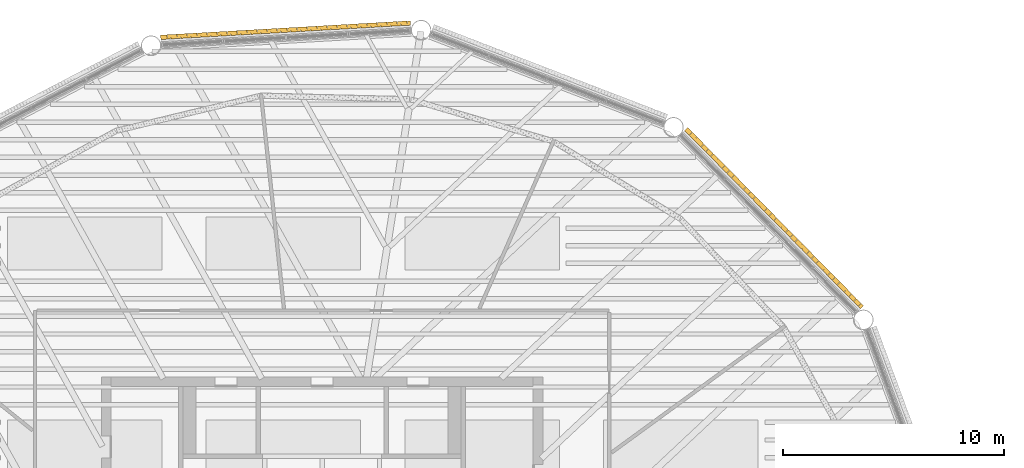
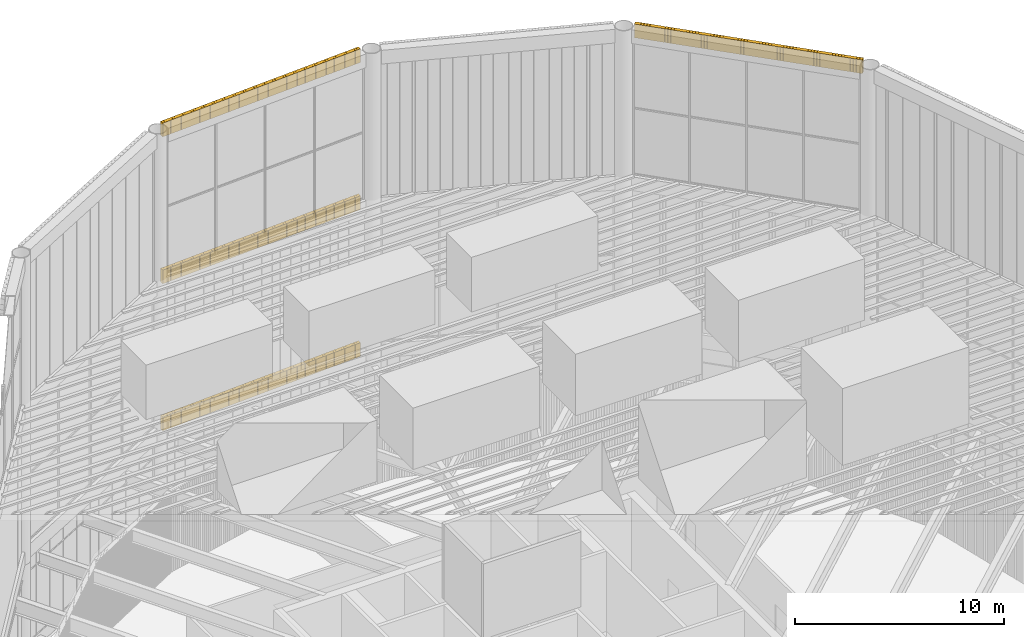
# One storey, part 116 of 117: 4 coverings.
"""IFC4 building model written with IfcOpenShell, lengths in metres."""

from ifc_helpers import new_model, si_unit, direction, frame, frame_2d, origin, place, context, subcontext, project, spatial, rectangle, composite_profile, extrude, material, type_object, element, save


model = new_model("IFC4")

# Units and contexts
model_context = context("Model", 3, precision=1e-05, world=origin(), true_north=direction((0.0, 1.0)))
body_context = subcontext(model_context, "Body", "Model", "MODEL_VIEW")
ifc_project = project(units=[si_unit("LENGTHUNIT", "METRE"), si_unit("AREAUNIT", "SQUARE_METRE"), si_unit("VOLUMEUNIT", "CUBIC_METRE"), si_unit("PLANEANGLEUNIT", "RADIAN"), si_unit("MASSUNIT", "GRAM", prefix="KILO")], contexts=[model_context])

# Site, building, storey
site_placement = place(None, origin())
site = spatial("IfcSite", under=ifc_project, at=site_placement, CompositionType="ELEMENT")
building_placement = place(site_placement, origin())
building = spatial("IfcBuilding", under=site, at=building_placement, Name="Tarsis Ring Headquarters", CompositionType="ELEMENT")
storey_placement = place(building_placement, frame((0.0, 0.0, 403.60009765625)))
storey = spatial("IfcBuildingStorey", under=building, at=storey_placement, Name="L95", CompositionType="ELEMENT", Elevation=403.60009765625)

# Coverings
ifc_material = material(Name="Terracotta louvre", Category="masonry")
covering_type = type_object("IfcCoveringType", Name="Crown louvre fin", PredefinedType="CLADDING", material=ifc_material)
covering_1_placement = place(storey_placement, frame((4.0078125, 29.0234375, 5.0), z_axis=(0.0, 0.0, 1.0), x_axis=(-0.998341518049, -0.05740070647, 0.0)))
element("IfcCovering", 1, at=covering_1_placement, inside=storey, type_object=covering_type, Name="Crown louvre fascia R10", PredefinedType="CLADDING", context=body_context, shape_type="SweptSolid", body=[
    extrude(composite_profile([rectangle(XDim=0.14501953125, YDim=0.199951171875, at=frame_2d((0.072509765625, 0.0))), rectangle(XDim=0.14501953125, YDim=0.199951171875, at=frame_2d((0.2236328125, 0.0))), rectangle(XDim=0.14501953125, YDim=0.199951171875, at=frame_2d((0.375, 0.0))), rectangle(XDim=0.14501953125, YDim=0.199951171875, at=frame_2d((0.526123046875, 0.0))), rectangle(XDim=0.14501953125, YDim=0.199951171875, at=frame_2d((0.677490234375, 0.0))), rectangle(XDim=0.14501953125, YDim=0.199951171875, at=frame_2d((0.82861328125, 0.0))), rectangle(XDim=0.14501953125, YDim=0.199951171875, at=frame_2d((0.979736328125, 0.0))), rectangle(XDim=0.14501953125, YDim=0.199951171875, at=frame_2d((1.131103515625, 0.0))), rectangle(XDim=0.14501953125, YDim=0.199951171875, at=frame_2d((1.2822265625, 0.0))), rectangle(XDim=0.14501953125, YDim=0.199951171875, at=frame_2d((1.433349609375, 0.0))), rectangle(XDim=0.14501953125, YDim=0.199951171875, at=frame_2d((1.584716796875, 0.0))), rectangle(XDim=0.14501953125, YDim=0.199951171875, at=frame_2d((1.73583984375, 0.0))), rectangle(XDim=0.14501953125, YDim=0.199951171875, at=frame_2d((1.88720703125, 0.0))), rectangle(XDim=0.14501953125, YDim=0.199951171875, at=frame_2d((2.038330078125, 0.0))), rectangle(XDim=0.14501953125, YDim=0.199951171875, at=frame_2d((2.189453125, 0.0))), rectangle(XDim=0.14501953125, YDim=0.199951171875, at=frame_2d((2.3408203125, 0.0))), rectangle(XDim=0.14501953125, YDim=0.199951171875, at=frame_2d((2.491943359375, 0.0))), rectangle(XDim=0.14501953125, YDim=0.199951171875, at=frame_2d((2.64306640625, 0.0))), rectangle(XDim=0.14501953125, YDim=0.199951171875, at=frame_2d((2.79443359375, 0.0))), rectangle(XDim=0.14501953125, YDim=0.199951171875, at=frame_2d((2.945556640625, 0.0))), rectangle(XDim=0.14501953125, YDim=0.199951171875, at=frame_2d((3.096923828125, 0.0))), rectangle(XDim=0.14501953125, YDim=0.199951171875, at=frame_2d((3.248046875, 0.0))), rectangle(XDim=0.14501953125, YDim=0.199951171875, at=frame_2d((3.399169921875, 0.0))), rectangle(XDim=0.14501953125, YDim=0.199951171875, at=frame_2d((3.550537109375, 0.0))), rectangle(XDim=0.14501953125, YDim=0.199951171875, at=frame_2d((3.70166015625, 0.0))), rectangle(XDim=0.14501953125, YDim=0.199951171875, at=frame_2d((3.852783203125, 0.0))), rectangle(XDim=0.14501953125, YDim=0.199951171875, at=frame_2d((4.004150390625, 0.0))), rectangle(XDim=0.14501953125, YDim=0.199951171875, at=frame_2d((4.1552734375, 0.0))), rectangle(XDim=0.14501953125, YDim=0.199951171875, at=frame_2d((4.306640625, 0.0))), rectangle(XDim=0.14501953125, YDim=0.199951171875, at=frame_2d((4.457763671875, 0.0))), rectangle(XDim=0.14501953125, YDim=0.199951171875, at=frame_2d((4.60888671875, 0.0))), rectangle(XDim=0.14501953125, YDim=0.199951171875, at=frame_2d((4.76025390625, 0.0))), rectangle(XDim=0.14501953125, YDim=0.199951171875, at=frame_2d((4.911376953125, 0.0))), rectangle(XDim=0.14501953125, YDim=0.199951171875, at=frame_2d((5.0625, 0.0))), rectangle(XDim=0.14501953125, YDim=0.199951171875, at=frame_2d((5.2138671875, 0.0))), rectangle(XDim=0.14501953125, YDim=0.199951171875, at=frame_2d((5.364990234375, 0.0))), rectangle(XDim=0.14501953125, YDim=0.199951171875, at=frame_2d((5.516357421875, 0.0))), rectangle(XDim=0.14501953125, YDim=0.199951171875, at=frame_2d((5.66748046875, 0.0))), rectangle(XDim=0.14501953125, YDim=0.199951171875, at=frame_2d((5.818603515625, 0.0))), rectangle(XDim=0.14501953125, YDim=0.199951171875, at=frame_2d((5.969970703125, 0.0))), rectangle(XDim=0.14501953125, YDim=0.199951171875, at=frame_2d((6.12109375, 0.0))), rectangle(XDim=0.14501953125, YDim=0.199951171875, at=frame_2d((6.2724609375, 0.0))), rectangle(XDim=0.14501953125, YDim=0.199951171875, at=frame_2d((6.423583984375, 0.0))), rectangle(XDim=0.14501953125, YDim=0.199951171875, at=frame_2d((6.57470703125, 0.0))), rectangle(XDim=0.14501953125, YDim=0.199951171875, at=frame_2d((6.72607421875, 0.0))), rectangle(XDim=0.14501953125, YDim=0.199951171875, at=frame_2d((6.877197265625, 0.0))), rectangle(XDim=0.14501953125, YDim=0.199951171875, at=frame_2d((7.0283203125, 0.0))), rectangle(XDim=0.14501953125, YDim=0.199951171875, at=frame_2d((7.1796875, 0.0))), rectangle(XDim=0.14501953125, YDim=0.199951171875, at=frame_2d((7.330810546875, 0.0))), rectangle(XDim=0.14501953125, YDim=0.199951171875, at=frame_2d((7.482177734375, 0.0))), rectangle(XDim=0.14501953125, YDim=0.199951171875, at=frame_2d((7.63330078125, 0.0))), rectangle(XDim=0.14501953125, YDim=0.199951171875, at=frame_2d((7.784423828125, 0.0))), rectangle(XDim=0.14501953125, YDim=0.199951171875, at=frame_2d((7.935791015625, 0.0))), rectangle(XDim=0.14501953125, YDim=0.199951171875, at=frame_2d((8.0869140625, 0.0))), rectangle(XDim=0.14501953125, YDim=0.199951171875, at=frame_2d((8.238037109375, 0.0))), rectangle(XDim=0.14501953125, YDim=0.199951171875, at=frame_2d((8.389404296875, 0.0))), rectangle(XDim=0.14501953125, YDim=0.199951171875, at=frame_2d((8.54052734375, 0.0))), rectangle(XDim=0.14501953125, YDim=0.199951171875, at=frame_2d((8.69189453125, 0.0))), rectangle(XDim=0.14501953125, YDim=0.199951171875, at=frame_2d((8.843017578125, 0.0))), rectangle(XDim=0.14501953125, YDim=0.199951171875, at=frame_2d((8.994140625, 0.0))), rectangle(XDim=0.14501953125, YDim=0.199951171875, at=frame_2d((9.1455078125, 0.0))), rectangle(XDim=0.14501953125, YDim=0.199951171875, at=frame_2d((9.296630859375, 0.0))), rectangle(XDim=0.14501953125, YDim=0.199951171875, at=frame_2d((9.44775390625, 0.0))), rectangle(XDim=0.14501953125, YDim=0.199951171875, at=frame_2d((9.59912109375, 0.0))), rectangle(XDim=0.14501953125, YDim=0.199951171875, at=frame_2d((9.750244140625, 0.0))), rectangle(XDim=0.14501953125, YDim=0.199951171875, at=frame_2d((9.901611328125, 0.0))), rectangle(XDim=0.14501953125, YDim=0.199951171875, at=frame_2d((10.052734375, 0.0))), rectangle(XDim=0.14501953125, YDim=0.199951171875, at=frame_2d((10.203857421875, 0.0))), rectangle(XDim=0.14501953125, YDim=0.199951171875, at=frame_2d((10.355224609375, 0.0))), rectangle(XDim=0.14501953125, YDim=0.199951171875, at=frame_2d((10.50634765625, 0.0))), rectangle(XDim=0.14501953125, YDim=0.199951171875, at=frame_2d((10.657470703125, 0.0))), rectangle(XDim=0.14501953125, YDim=0.199951171875, at=frame_2d((10.808837890625, 0.0))), rectangle(XDim=0.14501953125, YDim=0.199951171875, at=frame_2d((10.9599609375, 0.0))), rectangle(XDim=0.14501953125, YDim=0.199951171875, at=frame_2d((11.111328125, 0.0))), rectangle(XDim=0.14501953125, YDim=0.199951171875, at=frame_2d((11.262451171875, 0.0)))]), origin(), (0.0, 0.0, 1.0), 0.7998046875),
])
covering_2_placement = place(storey_placement, frame((4.0078125, 29.0234375, 13.599853515625), z_axis=(0.0, 0.0, 1.0), x_axis=(-0.998341518049, -0.05740070647, 0.0)))
element("IfcCovering", 2, at=covering_2_placement, inside=storey, type_object=covering_type, Name="Crown louvre fascia M10", PredefinedType="CLADDING", context=body_context, shape_type="SweptSolid", body=[
    extrude(composite_profile([rectangle(XDim=0.14501953125, YDim=0.199951171875, at=frame_2d((0.072509765625, 0.0))), rectangle(XDim=0.14501953125, YDim=0.199951171875, at=frame_2d((0.2236328125, 0.0))), rectangle(XDim=0.14501953125, YDim=0.199951171875, at=frame_2d((0.375, 0.0))), rectangle(XDim=0.14501953125, YDim=0.199951171875, at=frame_2d((0.526123046875, 0.0))), rectangle(XDim=0.14501953125, YDim=0.199951171875, at=frame_2d((0.677490234375, 0.0))), rectangle(XDim=0.14501953125, YDim=0.199951171875, at=frame_2d((0.82861328125, 0.0))), rectangle(XDim=0.14501953125, YDim=0.199951171875, at=frame_2d((0.979736328125, 0.0))), rectangle(XDim=0.14501953125, YDim=0.199951171875, at=frame_2d((1.131103515625, 0.0))), rectangle(XDim=0.14501953125, YDim=0.199951171875, at=frame_2d((1.2822265625, 0.0))), rectangle(XDim=0.14501953125, YDim=0.199951171875, at=frame_2d((1.433349609375, 0.0))), rectangle(XDim=0.14501953125, YDim=0.199951171875, at=frame_2d((1.584716796875, 0.0))), rectangle(XDim=0.14501953125, YDim=0.199951171875, at=frame_2d((1.73583984375, 0.0))), rectangle(XDim=0.14501953125, YDim=0.199951171875, at=frame_2d((1.88720703125, 0.0))), rectangle(XDim=0.14501953125, YDim=0.199951171875, at=frame_2d((2.038330078125, 0.0))), rectangle(XDim=0.14501953125, YDim=0.199951171875, at=frame_2d((2.189453125, 0.0))), rectangle(XDim=0.14501953125, YDim=0.199951171875, at=frame_2d((2.3408203125, 0.0))), rectangle(XDim=0.14501953125, YDim=0.199951171875, at=frame_2d((2.491943359375, 0.0))), rectangle(XDim=0.14501953125, YDim=0.199951171875, at=frame_2d((2.64306640625, 0.0))), rectangle(XDim=0.14501953125, YDim=0.199951171875, at=frame_2d((2.79443359375, 0.0))), rectangle(XDim=0.14501953125, YDim=0.199951171875, at=frame_2d((2.945556640625, 0.0))), rectangle(XDim=0.14501953125, YDim=0.199951171875, at=frame_2d((3.096923828125, 0.0))), rectangle(XDim=0.14501953125, YDim=0.199951171875, at=frame_2d((3.248046875, 0.0))), rectangle(XDim=0.14501953125, YDim=0.199951171875, at=frame_2d((3.399169921875, 0.0))), rectangle(XDim=0.14501953125, YDim=0.199951171875, at=frame_2d((3.550537109375, 0.0))), rectangle(XDim=0.14501953125, YDim=0.199951171875, at=frame_2d((3.70166015625, 0.0))), rectangle(XDim=0.14501953125, YDim=0.199951171875, at=frame_2d((3.852783203125, 0.0))), rectangle(XDim=0.14501953125, YDim=0.199951171875, at=frame_2d((4.004150390625, 0.0))), rectangle(XDim=0.14501953125, YDim=0.199951171875, at=frame_2d((4.1552734375, 0.0))), rectangle(XDim=0.14501953125, YDim=0.199951171875, at=frame_2d((4.306640625, 0.0))), rectangle(XDim=0.14501953125, YDim=0.199951171875, at=frame_2d((4.457763671875, 0.0))), rectangle(XDim=0.14501953125, YDim=0.199951171875, at=frame_2d((4.60888671875, 0.0))), rectangle(XDim=0.14501953125, YDim=0.199951171875, at=frame_2d((4.76025390625, 0.0))), rectangle(XDim=0.14501953125, YDim=0.199951171875, at=frame_2d((4.911376953125, 0.0))), rectangle(XDim=0.14501953125, YDim=0.199951171875, at=frame_2d((5.0625, 0.0))), rectangle(XDim=0.14501953125, YDim=0.199951171875, at=frame_2d((5.2138671875, 0.0))), rectangle(XDim=0.14501953125, YDim=0.199951171875, at=frame_2d((5.364990234375, 0.0))), rectangle(XDim=0.14501953125, YDim=0.199951171875, at=frame_2d((5.516357421875, 0.0))), rectangle(XDim=0.14501953125, YDim=0.199951171875, at=frame_2d((5.66748046875, 0.0))), rectangle(XDim=0.14501953125, YDim=0.199951171875, at=frame_2d((5.818603515625, 0.0))), rectangle(XDim=0.14501953125, YDim=0.199951171875, at=frame_2d((5.969970703125, 0.0))), rectangle(XDim=0.14501953125, YDim=0.199951171875, at=frame_2d((6.12109375, 0.0))), rectangle(XDim=0.14501953125, YDim=0.199951171875, at=frame_2d((6.2724609375, 0.0))), rectangle(XDim=0.14501953125, YDim=0.199951171875, at=frame_2d((6.423583984375, 0.0))), rectangle(XDim=0.14501953125, YDim=0.199951171875, at=frame_2d((6.57470703125, 0.0))), rectangle(XDim=0.14501953125, YDim=0.199951171875, at=frame_2d((6.72607421875, 0.0))), rectangle(XDim=0.14501953125, YDim=0.199951171875, at=frame_2d((6.877197265625, 0.0))), rectangle(XDim=0.14501953125, YDim=0.199951171875, at=frame_2d((7.0283203125, 0.0))), rectangle(XDim=0.14501953125, YDim=0.199951171875, at=frame_2d((7.1796875, 0.0))), rectangle(XDim=0.14501953125, YDim=0.199951171875, at=frame_2d((7.330810546875, 0.0))), rectangle(XDim=0.14501953125, YDim=0.199951171875, at=frame_2d((7.482177734375, 0.0))), rectangle(XDim=0.14501953125, YDim=0.199951171875, at=frame_2d((7.63330078125, 0.0))), rectangle(XDim=0.14501953125, YDim=0.199951171875, at=frame_2d((7.784423828125, 0.0))), rectangle(XDim=0.14501953125, YDim=0.199951171875, at=frame_2d((7.935791015625, 0.0))), rectangle(XDim=0.14501953125, YDim=0.199951171875, at=frame_2d((8.0869140625, 0.0))), rectangle(XDim=0.14501953125, YDim=0.199951171875, at=frame_2d((8.238037109375, 0.0))), rectangle(XDim=0.14501953125, YDim=0.199951171875, at=frame_2d((8.389404296875, 0.0))), rectangle(XDim=0.14501953125, YDim=0.199951171875, at=frame_2d((8.54052734375, 0.0))), rectangle(XDim=0.14501953125, YDim=0.199951171875, at=frame_2d((8.69189453125, 0.0))), rectangle(XDim=0.14501953125, YDim=0.199951171875, at=frame_2d((8.843017578125, 0.0))), rectangle(XDim=0.14501953125, YDim=0.199951171875, at=frame_2d((8.994140625, 0.0))), rectangle(XDim=0.14501953125, YDim=0.199951171875, at=frame_2d((9.1455078125, 0.0))), rectangle(XDim=0.14501953125, YDim=0.199951171875, at=frame_2d((9.296630859375, 0.0))), rectangle(XDim=0.14501953125, YDim=0.199951171875, at=frame_2d((9.44775390625, 0.0))), rectangle(XDim=0.14501953125, YDim=0.199951171875, at=frame_2d((9.59912109375, 0.0))), rectangle(XDim=0.14501953125, YDim=0.199951171875, at=frame_2d((9.750244140625, 0.0))), rectangle(XDim=0.14501953125, YDim=0.199951171875, at=frame_2d((9.901611328125, 0.0))), rectangle(XDim=0.14501953125, YDim=0.199951171875, at=frame_2d((10.052734375, 0.0))), rectangle(XDim=0.14501953125, YDim=0.199951171875, at=frame_2d((10.203857421875, 0.0))), rectangle(XDim=0.14501953125, YDim=0.199951171875, at=frame_2d((10.355224609375, 0.0))), rectangle(XDim=0.14501953125, YDim=0.199951171875, at=frame_2d((10.50634765625, 0.0))), rectangle(XDim=0.14501953125, YDim=0.199951171875, at=frame_2d((10.657470703125, 0.0))), rectangle(XDim=0.14501953125, YDim=0.199951171875, at=frame_2d((10.808837890625, 0.0))), rectangle(XDim=0.14501953125, YDim=0.199951171875, at=frame_2d((10.9599609375, 0.0))), rectangle(XDim=0.14501953125, YDim=0.199951171875, at=frame_2d((11.111328125, 0.0))), rectangle(XDim=0.14501953125, YDim=0.199951171875, at=frame_2d((11.262451171875, 0.0)))]), origin(), (0.0, 0.0, 1.0), 0.800048828125),
])
covering_3_placement = place(storey_placement, frame((24.4453125, 16.151123046875, 22.199951171875), z_axis=(0.0, 0.0, 1.0), x_axis=(-0.702227104334, 0.711941070044, 0.0)))
element("IfcCovering", 3, at=covering_3_placement, inside=storey, type_object=covering_type, Name="Crown louvre fascia T8", PredefinedType="CLADDING", context=body_context, shape_type="SweptSolid", body=[
    extrude(composite_profile([rectangle(XDim=0.14501953125, YDim=0.199951171875, at=frame_2d((0.072509765625, 0.0))), rectangle(XDim=0.14501953125, YDim=0.199951171875, at=frame_2d((0.2236328125, 0.0))), rectangle(XDim=0.14501953125, YDim=0.199951171875, at=frame_2d((0.375, 0.0))), rectangle(XDim=0.14501953125, YDim=0.199951171875, at=frame_2d((0.526123046875, 0.0))), rectangle(XDim=0.14501953125, YDim=0.199951171875, at=frame_2d((0.677490234375, 0.0))), rectangle(XDim=0.14501953125, YDim=0.199951171875, at=frame_2d((0.82861328125, 0.0))), rectangle(XDim=0.14501953125, YDim=0.199951171875, at=frame_2d((0.979736328125, 0.0))), rectangle(XDim=0.14501953125, YDim=0.199951171875, at=frame_2d((1.131103515625, 0.0))), rectangle(XDim=0.14501953125, YDim=0.199951171875, at=frame_2d((1.2822265625, 0.0))), rectangle(XDim=0.14501953125, YDim=0.199951171875, at=frame_2d((1.433349609375, 0.0))), rectangle(XDim=0.14501953125, YDim=0.199951171875, at=frame_2d((1.584716796875, 0.0))), rectangle(XDim=0.14501953125, YDim=0.199951171875, at=frame_2d((1.73583984375, 0.0))), rectangle(XDim=0.14501953125, YDim=0.199951171875, at=frame_2d((1.88720703125, 0.0))), rectangle(XDim=0.14501953125, YDim=0.199951171875, at=frame_2d((2.038330078125, 0.0))), rectangle(XDim=0.14501953125, YDim=0.199951171875, at=frame_2d((2.189453125, 0.0))), rectangle(XDim=0.14501953125, YDim=0.199951171875, at=frame_2d((2.3408203125, 0.0))), rectangle(XDim=0.14501953125, YDim=0.199951171875, at=frame_2d((2.491943359375, 0.0))), rectangle(XDim=0.14501953125, YDim=0.199951171875, at=frame_2d((2.64306640625, 0.0))), rectangle(XDim=0.14501953125, YDim=0.199951171875, at=frame_2d((2.79443359375, 0.0))), rectangle(XDim=0.14501953125, YDim=0.199951171875, at=frame_2d((2.945556640625, 0.0))), rectangle(XDim=0.14501953125, YDim=0.199951171875, at=frame_2d((3.096923828125, 0.0))), rectangle(XDim=0.14501953125, YDim=0.199951171875, at=frame_2d((3.248046875, 0.0))), rectangle(XDim=0.14501953125, YDim=0.199951171875, at=frame_2d((3.399169921875, 0.0))), rectangle(XDim=0.14501953125, YDim=0.199951171875, at=frame_2d((3.550537109375, 0.0))), rectangle(XDim=0.14501953125, YDim=0.199951171875, at=frame_2d((3.70166015625, 0.0))), rectangle(XDim=0.14501953125, YDim=0.199951171875, at=frame_2d((3.852783203125, 0.0))), rectangle(XDim=0.14501953125, YDim=0.199951171875, at=frame_2d((4.004150390625, 0.0))), rectangle(XDim=0.14501953125, YDim=0.199951171875, at=frame_2d((4.1552734375, 0.0))), rectangle(XDim=0.14501953125, YDim=0.199951171875, at=frame_2d((4.306640625, 0.0))), rectangle(XDim=0.14501953125, YDim=0.199951171875, at=frame_2d((4.457763671875, 0.0))), rectangle(XDim=0.14501953125, YDim=0.199951171875, at=frame_2d((4.60888671875, 0.0))), rectangle(XDim=0.14501953125, YDim=0.199951171875, at=frame_2d((4.76025390625, 0.0))), rectangle(XDim=0.14501953125, YDim=0.199951171875, at=frame_2d((4.911376953125, 0.0))), rectangle(XDim=0.14501953125, YDim=0.199951171875, at=frame_2d((5.0625, 0.0))), rectangle(XDim=0.14501953125, YDim=0.199951171875, at=frame_2d((5.2138671875, 0.0))), rectangle(XDim=0.14501953125, YDim=0.199951171875, at=frame_2d((5.364990234375, 0.0))), rectangle(XDim=0.14501953125, YDim=0.199951171875, at=frame_2d((5.516357421875, 0.0))), rectangle(XDim=0.14501953125, YDim=0.199951171875, at=frame_2d((5.66748046875, 0.0))), rectangle(XDim=0.14501953125, YDim=0.199951171875, at=frame_2d((5.818603515625, 0.0))), rectangle(XDim=0.14501953125, YDim=0.199951171875, at=frame_2d((5.969970703125, 0.0))), rectangle(XDim=0.14501953125, YDim=0.199951171875, at=frame_2d((6.12109375, 0.0))), rectangle(XDim=0.14501953125, YDim=0.199951171875, at=frame_2d((6.2724609375, 0.0))), rectangle(XDim=0.14501953125, YDim=0.199951171875, at=frame_2d((6.423583984375, 0.0))), rectangle(XDim=0.14501953125, YDim=0.199951171875, at=frame_2d((6.57470703125, 0.0))), rectangle(XDim=0.14501953125, YDim=0.199951171875, at=frame_2d((6.72607421875, 0.0))), rectangle(XDim=0.14501953125, YDim=0.199951171875, at=frame_2d((6.877197265625, 0.0))), rectangle(XDim=0.14501953125, YDim=0.199951171875, at=frame_2d((7.0283203125, 0.0))), rectangle(XDim=0.14501953125, YDim=0.199951171875, at=frame_2d((7.1796875, 0.0))), rectangle(XDim=0.14501953125, YDim=0.199951171875, at=frame_2d((7.330810546875, 0.0))), rectangle(XDim=0.14501953125, YDim=0.199951171875, at=frame_2d((7.482177734375, 0.0))), rectangle(XDim=0.14501953125, YDim=0.199951171875, at=frame_2d((7.63330078125, 0.0))), rectangle(XDim=0.14501953125, YDim=0.199951171875, at=frame_2d((7.784423828125, 0.0))), rectangle(XDim=0.14501953125, YDim=0.199951171875, at=frame_2d((7.935791015625, 0.0))), rectangle(XDim=0.14501953125, YDim=0.199951171875, at=frame_2d((8.0869140625, 0.0))), rectangle(XDim=0.14501953125, YDim=0.199951171875, at=frame_2d((8.238037109375, 0.0))), rectangle(XDim=0.14501953125, YDim=0.199951171875, at=frame_2d((8.389404296875, 0.0))), rectangle(XDim=0.14501953125, YDim=0.199951171875, at=frame_2d((8.54052734375, 0.0))), rectangle(XDim=0.14501953125, YDim=0.199951171875, at=frame_2d((8.69189453125, 0.0))), rectangle(XDim=0.14501953125, YDim=0.199951171875, at=frame_2d((8.843017578125, 0.0))), rectangle(XDim=0.14501953125, YDim=0.199951171875, at=frame_2d((8.994140625, 0.0))), rectangle(XDim=0.14501953125, YDim=0.199951171875, at=frame_2d((9.1455078125, 0.0))), rectangle(XDim=0.14501953125, YDim=0.199951171875, at=frame_2d((9.296630859375, 0.0))), rectangle(XDim=0.14501953125, YDim=0.199951171875, at=frame_2d((9.44775390625, 0.0))), rectangle(XDim=0.14501953125, YDim=0.199951171875, at=frame_2d((9.59912109375, 0.0))), rectangle(XDim=0.14501953125, YDim=0.199951171875, at=frame_2d((9.750244140625, 0.0))), rectangle(XDim=0.14501953125, YDim=0.199951171875, at=frame_2d((9.901611328125, 0.0))), rectangle(XDim=0.14501953125, YDim=0.199951171875, at=frame_2d((10.052734375, 0.0))), rectangle(XDim=0.14501953125, YDim=0.199951171875, at=frame_2d((10.203857421875, 0.0))), rectangle(XDim=0.14501953125, YDim=0.199951171875, at=frame_2d((10.355224609375, 0.0))), rectangle(XDim=0.14501953125, YDim=0.199951171875, at=frame_2d((10.50634765625, 0.0))), rectangle(XDim=0.14501953125, YDim=0.199951171875, at=frame_2d((10.657470703125, 0.0))), rectangle(XDim=0.14501953125, YDim=0.199951171875, at=frame_2d((10.808837890625, 0.0))), rectangle(XDim=0.14501953125, YDim=0.199951171875, at=frame_2d((10.9599609375, 0.0))), rectangle(XDim=0.14501953125, YDim=0.199951171875, at=frame_2d((11.111328125, 0.0))), rectangle(XDim=0.14501953125, YDim=0.199951171875, at=frame_2d((11.262451171875, 0.0)))]), origin(), (0.0, 0.0, 1.0), 0.800048828125),
])
covering_4_placement = place(storey_placement, frame((4.0078125, 29.0234375, 22.199951171875), z_axis=(0.0, 0.0, 1.0), x_axis=(-0.998341518049, -0.05740070647, 0.0)))
element("IfcCovering", 4, at=covering_4_placement, inside=storey, type_object=covering_type, Name="Crown louvre fascia T10", PredefinedType="CLADDING", context=body_context, shape_type="SweptSolid", body=[
    extrude(composite_profile([rectangle(XDim=0.14501953125, YDim=0.199951171875, at=frame_2d((0.072509765625, 0.0))), rectangle(XDim=0.14501953125, YDim=0.199951171875, at=frame_2d((0.2236328125, 0.0))), rectangle(XDim=0.14501953125, YDim=0.199951171875, at=frame_2d((0.375, 0.0))), rectangle(XDim=0.14501953125, YDim=0.199951171875, at=frame_2d((0.526123046875, 0.0))), rectangle(XDim=0.14501953125, YDim=0.199951171875, at=frame_2d((0.677490234375, 0.0))), rectangle(XDim=0.14501953125, YDim=0.199951171875, at=frame_2d((0.82861328125, 0.0))), rectangle(XDim=0.14501953125, YDim=0.199951171875, at=frame_2d((0.979736328125, 0.0))), rectangle(XDim=0.14501953125, YDim=0.199951171875, at=frame_2d((1.131103515625, 0.0))), rectangle(XDim=0.14501953125, YDim=0.199951171875, at=frame_2d((1.2822265625, 0.0))), rectangle(XDim=0.14501953125, YDim=0.199951171875, at=frame_2d((1.433349609375, 0.0))), rectangle(XDim=0.14501953125, YDim=0.199951171875, at=frame_2d((1.584716796875, 0.0))), rectangle(XDim=0.14501953125, YDim=0.199951171875, at=frame_2d((1.73583984375, 0.0))), rectangle(XDim=0.14501953125, YDim=0.199951171875, at=frame_2d((1.88720703125, 0.0))), rectangle(XDim=0.14501953125, YDim=0.199951171875, at=frame_2d((2.038330078125, 0.0))), rectangle(XDim=0.14501953125, YDim=0.199951171875, at=frame_2d((2.189453125, 0.0))), rectangle(XDim=0.14501953125, YDim=0.199951171875, at=frame_2d((2.3408203125, 0.0))), rectangle(XDim=0.14501953125, YDim=0.199951171875, at=frame_2d((2.491943359375, 0.0))), rectangle(XDim=0.14501953125, YDim=0.199951171875, at=frame_2d((2.64306640625, 0.0))), rectangle(XDim=0.14501953125, YDim=0.199951171875, at=frame_2d((2.79443359375, 0.0))), rectangle(XDim=0.14501953125, YDim=0.199951171875, at=frame_2d((2.945556640625, 0.0))), rectangle(XDim=0.14501953125, YDim=0.199951171875, at=frame_2d((3.096923828125, 0.0))), rectangle(XDim=0.14501953125, YDim=0.199951171875, at=frame_2d((3.248046875, 0.0))), rectangle(XDim=0.14501953125, YDim=0.199951171875, at=frame_2d((3.399169921875, 0.0))), rectangle(XDim=0.14501953125, YDim=0.199951171875, at=frame_2d((3.550537109375, 0.0))), rectangle(XDim=0.14501953125, YDim=0.199951171875, at=frame_2d((3.70166015625, 0.0))), rectangle(XDim=0.14501953125, YDim=0.199951171875, at=frame_2d((3.852783203125, 0.0))), rectangle(XDim=0.14501953125, YDim=0.199951171875, at=frame_2d((4.004150390625, 0.0))), rectangle(XDim=0.14501953125, YDim=0.199951171875, at=frame_2d((4.1552734375, 0.0))), rectangle(XDim=0.14501953125, YDim=0.199951171875, at=frame_2d((4.306640625, 0.0))), rectangle(XDim=0.14501953125, YDim=0.199951171875, at=frame_2d((4.457763671875, 0.0))), rectangle(XDim=0.14501953125, YDim=0.199951171875, at=frame_2d((4.60888671875, 0.0))), rectangle(XDim=0.14501953125, YDim=0.199951171875, at=frame_2d((4.76025390625, 0.0))), rectangle(XDim=0.14501953125, YDim=0.199951171875, at=frame_2d((4.911376953125, 0.0))), rectangle(XDim=0.14501953125, YDim=0.199951171875, at=frame_2d((5.0625, 0.0))), rectangle(XDim=0.14501953125, YDim=0.199951171875, at=frame_2d((5.2138671875, 0.0))), rectangle(XDim=0.14501953125, YDim=0.199951171875, at=frame_2d((5.364990234375, 0.0))), rectangle(XDim=0.14501953125, YDim=0.199951171875, at=frame_2d((5.516357421875, 0.0))), rectangle(XDim=0.14501953125, YDim=0.199951171875, at=frame_2d((5.66748046875, 0.0))), rectangle(XDim=0.14501953125, YDim=0.199951171875, at=frame_2d((5.818603515625, 0.0))), rectangle(XDim=0.14501953125, YDim=0.199951171875, at=frame_2d((5.969970703125, 0.0))), rectangle(XDim=0.14501953125, YDim=0.199951171875, at=frame_2d((6.12109375, 0.0))), rectangle(XDim=0.14501953125, YDim=0.199951171875, at=frame_2d((6.2724609375, 0.0))), rectangle(XDim=0.14501953125, YDim=0.199951171875, at=frame_2d((6.423583984375, 0.0))), rectangle(XDim=0.14501953125, YDim=0.199951171875, at=frame_2d((6.57470703125, 0.0))), rectangle(XDim=0.14501953125, YDim=0.199951171875, at=frame_2d((6.72607421875, 0.0))), rectangle(XDim=0.14501953125, YDim=0.199951171875, at=frame_2d((6.877197265625, 0.0))), rectangle(XDim=0.14501953125, YDim=0.199951171875, at=frame_2d((7.0283203125, 0.0))), rectangle(XDim=0.14501953125, YDim=0.199951171875, at=frame_2d((7.1796875, 0.0))), rectangle(XDim=0.14501953125, YDim=0.199951171875, at=frame_2d((7.330810546875, 0.0))), rectangle(XDim=0.14501953125, YDim=0.199951171875, at=frame_2d((7.482177734375, 0.0))), rectangle(XDim=0.14501953125, YDim=0.199951171875, at=frame_2d((7.63330078125, 0.0))), rectangle(XDim=0.14501953125, YDim=0.199951171875, at=frame_2d((7.784423828125, 0.0))), rectangle(XDim=0.14501953125, YDim=0.199951171875, at=frame_2d((7.935791015625, 0.0))), rectangle(XDim=0.14501953125, YDim=0.199951171875, at=frame_2d((8.0869140625, 0.0))), rectangle(XDim=0.14501953125, YDim=0.199951171875, at=frame_2d((8.238037109375, 0.0))), rectangle(XDim=0.14501953125, YDim=0.199951171875, at=frame_2d((8.389404296875, 0.0))), rectangle(XDim=0.14501953125, YDim=0.199951171875, at=frame_2d((8.54052734375, 0.0))), rectangle(XDim=0.14501953125, YDim=0.199951171875, at=frame_2d((8.69189453125, 0.0))), rectangle(XDim=0.14501953125, YDim=0.199951171875, at=frame_2d((8.843017578125, 0.0))), rectangle(XDim=0.14501953125, YDim=0.199951171875, at=frame_2d((8.994140625, 0.0))), rectangle(XDim=0.14501953125, YDim=0.199951171875, at=frame_2d((9.1455078125, 0.0))), rectangle(XDim=0.14501953125, YDim=0.199951171875, at=frame_2d((9.296630859375, 0.0))), rectangle(XDim=0.14501953125, YDim=0.199951171875, at=frame_2d((9.44775390625, 0.0))), rectangle(XDim=0.14501953125, YDim=0.199951171875, at=frame_2d((9.59912109375, 0.0))), rectangle(XDim=0.14501953125, YDim=0.199951171875, at=frame_2d((9.750244140625, 0.0))), rectangle(XDim=0.14501953125, YDim=0.199951171875, at=frame_2d((9.901611328125, 0.0))), rectangle(XDim=0.14501953125, YDim=0.199951171875, at=frame_2d((10.052734375, 0.0))), rectangle(XDim=0.14501953125, YDim=0.199951171875, at=frame_2d((10.203857421875, 0.0))), rectangle(XDim=0.14501953125, YDim=0.199951171875, at=frame_2d((10.355224609375, 0.0))), rectangle(XDim=0.14501953125, YDim=0.199951171875, at=frame_2d((10.50634765625, 0.0))), rectangle(XDim=0.14501953125, YDim=0.199951171875, at=frame_2d((10.657470703125, 0.0))), rectangle(XDim=0.14501953125, YDim=0.199951171875, at=frame_2d((10.808837890625, 0.0))), rectangle(XDim=0.14501953125, YDim=0.199951171875, at=frame_2d((10.9599609375, 0.0))), rectangle(XDim=0.14501953125, YDim=0.199951171875, at=frame_2d((11.111328125, 0.0))), rectangle(XDim=0.14501953125, YDim=0.199951171875, at=frame_2d((11.262451171875, 0.0)))]), origin(), (0.0, 0.0, 1.0), 0.800048828125),
])

save(model, "model.ifc")
